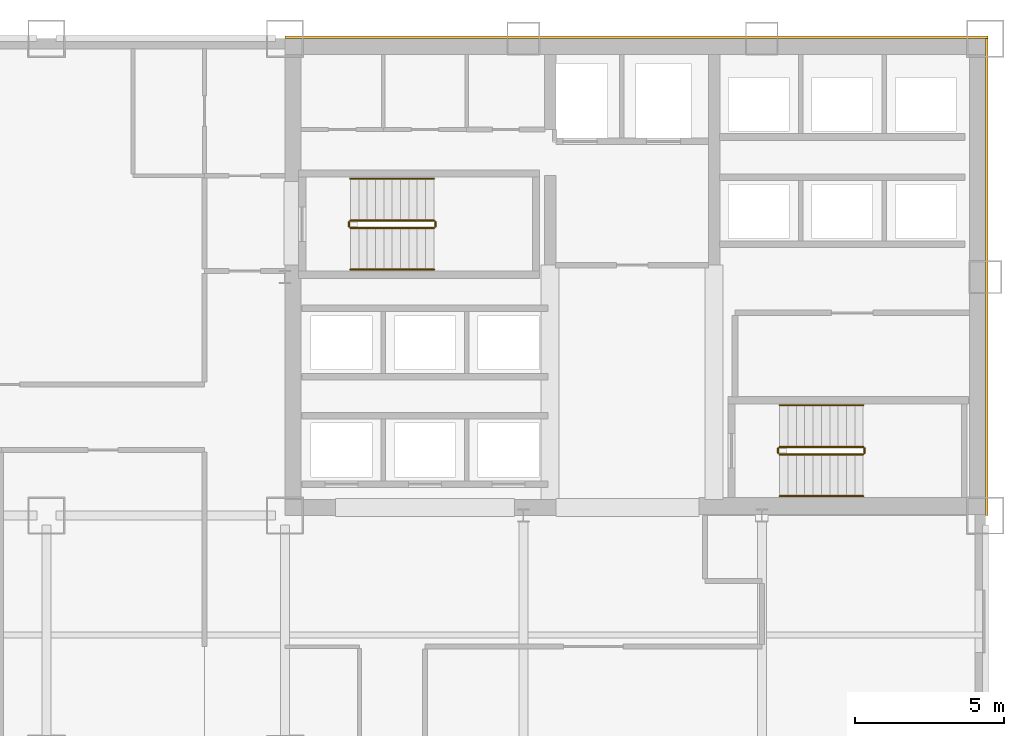
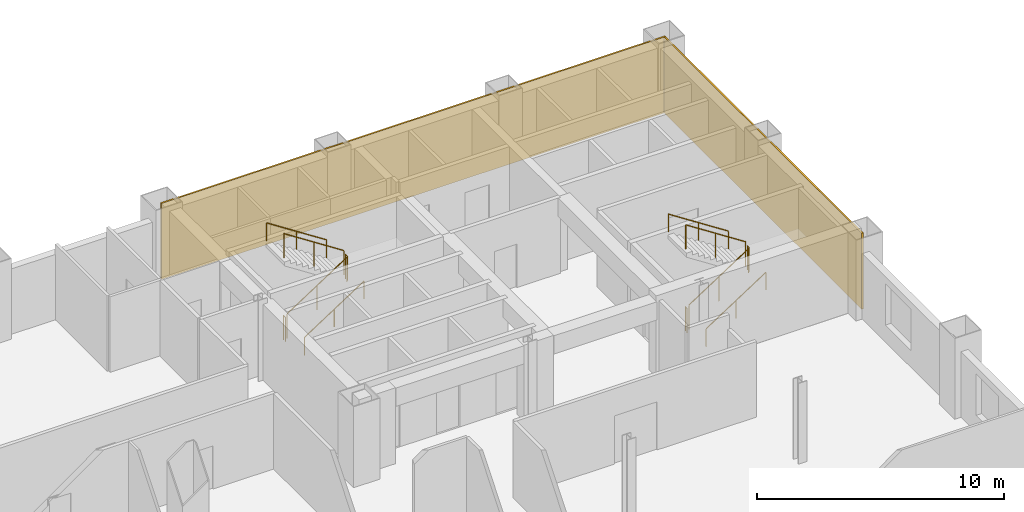
# One storey, part 9 of 9: 12 railings, 2 coverings.
"""IFC4 building model written with IfcOpenShell, lengths in metres."""

from ifc_helpers import new_model, si_unit, direction, frame, origin, origin_2d, place, context, subcontext, project, spatial, rectangle, circle, extrude, material, layer, layer_set, type_object, element, save


model = new_model("IFC4")

# Units and contexts
model_context = context("Model", 3, precision=1e-05, world=origin(), true_north=direction((0.0, 1.0)))
body_context = subcontext(model_context, "Body", "Model", "MODEL_VIEW")
ifc_project = project(units=[si_unit("LENGTHUNIT", "METRE"), si_unit("AREAUNIT", "SQUARE_METRE"), si_unit("VOLUMEUNIT", "CUBIC_METRE"), si_unit("PLANEANGLEUNIT", "RADIAN"), si_unit("MASSUNIT", "GRAM", prefix="KILO")], contexts=[model_context])

# Site, building, storey
site_placement = place(None, origin())
site = spatial("IfcSite", under=ifc_project, at=site_placement, CompositionType="ELEMENT")
building_placement = place(site_placement, origin())
building = spatial("IfcBuilding", under=site, at=building_placement, Name="Qianrong Seaharbour Tower", CompositionType="ELEMENT")
storey_placement = place(building_placement, frame((0.0, 0.0, 56.199951171875)))
storey = spatial("IfcBuildingStorey", under=building, at=storey_placement, Name="L13", CompositionType="ELEMENT", Elevation=56.199951171875)

# Coverings
ifc_material_1 = material(Name="Unitised red brick cladding on Precast concrete C45/55", Category="masonry")
ifc_layer = layer(ifc_material_1, 0.080078125)
ifc_layer_set = layer_set([ifc_layer], Name="Unitised red brick cladding on Precast concrete C45/55")
covering_type = type_object("IfcCoveringType", Name="COV-CLAD-RED-BRICK-80", PredefinedType="CLADDING", material=ifc_layer_set)
covering_1_placement = place(storey_placement, frame((52.2900390625, 52.0400390625, 0.0), z_axis=(0.0, 0.0, 1.0), x_axis=(1.0, 0.0, 0.0)))
element("IfcCovering", 1, at=covering_1_placement, inside=storey, type_object=covering_type, Name="L13 North Core Brick Veneer Cladding", PredefinedType="CLADDING", context=body_context, shape_type="SweptSolid", body=[
    extrude(rectangle(XDim=23.580078125, YDim=0.080078125, at=origin_2d()), origin(), (0.0, 0.0, 1.0), 3.75),
])
covering_2_placement = place(storey_placement, frame((64.0400390625, 44.0, 0.0), z_axis=(0.0, 0.0, 1.0), x_axis=(1.0, 0.0, 0.0)))
element("IfcCovering", 2, at=covering_2_placement, inside=storey, type_object=covering_type, Name="L13 East Core Brick Veneer Cladding", PredefinedType="CLADDING", context=body_context, shape_type="SweptSolid", body=[
    extrude(rectangle(XDim=0.080078125, YDim=16.0, at=origin_2d()), origin(), (0.0, 0.0, 1.0), 3.75),
])

# Railings
ifc_material_2 = material(Name="Galvanized painted steel SN400B stair guard", Category="steel")
railing_type_1 = type_object("IfcRailingType", Name="RAIL-STAIR-GUARD-1220", PredefinedType="GUARDRAIL", material=ifc_material_2)
railing_1_placement = place(storey_placement, frame((42.699951171875, 45.64990234375, 0.181884765625)))
element("IfcRailing", 3, at=railing_1_placement, inside=storey, type_object=railing_type_1, Name="L13 ST-1 stair guard 1", PredefinedType="GUARDRAIL", context=body_context, shape_type="SweptSolid", body=[
    extrude(circle(Radius=0.02392578125, at=origin_2d()), frame((0.0, 0.0, 1.19580078125), z_axis=(0.838705829183, 0.0, 0.544584733623), x_axis=(0.0, 1.0, 0.0)), (0.0, 0.0, 1.0), 3.338623046875),
    extrude(circle(Radius=0.02099609375, at=origin_2d()), origin(), (0.0, 0.0, 1.0), 1.171875),
    extrude(circle(Radius=0.02099609375, at=origin_2d()), frame((1.39990234375, 0.0, 0.9091796875)), (0.0, 0.0, 1.0), 1.171875),
    extrude(circle(Radius=0.02099609375, at=origin_2d()), frame((2.800048828125, 0.0, 1.818115234375)), (0.0, 0.0, 1.0), 1.171875),
])
railing_2_placement = place(storey_placement, frame((45.550048828125, 45.699951171875, 2.0)))
element("IfcRailing", 4, at=railing_2_placement, inside=storey, type_object=railing_type_1, Name="L13 ST-1 stair guard 2", PredefinedType="GUARDRAIL", context=body_context, shape_type="SweptSolid", body=[
    extrude(circle(Radius=0.02392578125, at=origin_2d()), frame((0.0, 0.0, 1.19580078125), z_axis=(0.0, 1.0, 0.0), x_axis=(-1.0, 0.0, 0.0)), (0.0, 0.0, 1.0), 0.150146484375),
    extrude(circle(Radius=0.02099609375, at=origin_2d()), origin(), (0.0, 0.0, 1.0), 1.171875),
    extrude(circle(Radius=0.02099609375, at=origin_2d()), frame((0.0, 0.150146484375, 0.0)), (0.0, 0.0, 1.0), 1.171875),
])
railing_3_placement = place(storey_placement, frame((45.5, 45.89990234375, 2.181884765625)))
element("IfcRailing", 5, at=railing_3_placement, inside=storey, type_object=railing_type_1, Name="L13 ST-1 stair guard 3", PredefinedType="GUARDRAIL", context=body_context, shape_type="SweptSolid", body=[
    extrude(circle(Radius=0.02392578125, at=origin_2d()), frame((0.0, 0.0, 1.19580078125), z_axis=(-0.838705829183, 0.0, 0.544584733623), x_axis=(0.0, -1.0, 0.0)), (0.0, 0.0, 1.0), 3.338623046875),
    extrude(circle(Radius=0.02099609375, at=origin_2d()), origin(), (0.0, 0.0, 1.0), 1.171875),
    extrude(circle(Radius=0.02099609375, at=origin_2d()), frame((-1.39990234375, 0.0, 0.9091796875)), (0.0, 0.0, 1.0), 1.171875),
    extrude(circle(Radius=0.02099609375, at=origin_2d()), frame((-2.800048828125, 0.0, 1.818115234375)), (0.0, 0.0, 1.0), 1.171875),
])
railing_4_placement = place(storey_placement, frame((42.64990234375, 45.699951171875, 0.0)))
element("IfcRailing", 6, at=railing_4_placement, inside=storey, type_object=railing_type_1, Name="L13 ST-1 stair guard 4", PredefinedType="GUARDRAIL", context=body_context, shape_type="SweptSolid", body=[
    extrude(circle(Radius=0.02392578125, at=origin_2d()), frame((0.0, 0.0, 1.19580078125), z_axis=(0.0, 1.0, 0.0), x_axis=(-1.0, 0.0, 0.0)), (0.0, 0.0, 1.0), 0.150146484375),
    extrude(circle(Radius=0.02099609375, at=origin_2d()), origin(), (0.0, 0.0, 1.0), 1.171875),
    extrude(circle(Radius=0.02099609375, at=origin_2d()), frame((0.0, 0.150146484375, 0.0)), (0.0, 0.0, 1.0), 1.171875),
])
railing_5_placement = place(storey_placement, frame((57.10009765625, 38.050048828125, 0.181884765625)))
element("IfcRailing", 7, at=railing_5_placement, inside=storey, type_object=railing_type_1, Name="L13 ST-2 stair guard 1", PredefinedType="GUARDRAIL", context=body_context, shape_type="SweptSolid", body=[
    extrude(circle(Radius=0.02392578125, at=origin_2d()), frame((0.0, 0.0, 1.19580078125), z_axis=(0.83868413941, 0.0, 0.544618136222), x_axis=(0.0, 1.0, 0.0)), (0.0, 0.0, 1.0), 3.33837890625),
    extrude(circle(Radius=0.02099609375, at=origin_2d()), origin(), (0.0, 0.0, 1.0), 1.171875),
    extrude(circle(Radius=0.02099609375, at=origin_2d()), frame((1.39990234375, 0.0, 0.9091796875)), (0.0, 0.0, 1.0), 1.171875),
    extrude(circle(Radius=0.02099609375, at=origin_2d()), frame((2.7998046875, 0.0, 1.818115234375)), (0.0, 0.0, 1.0), 1.171875),
])
railing_6_placement = place(storey_placement, frame((59.949951171875, 38.10009765625, 2.0)))
element("IfcRailing", 8, at=railing_6_placement, inside=storey, type_object=railing_type_1, Name="L13 ST-2 stair guard 2", PredefinedType="GUARDRAIL", context=body_context, shape_type="SweptSolid", body=[
    extrude(circle(Radius=0.02392578125, at=origin_2d()), frame((0.0, 0.0, 1.19580078125), z_axis=(0.0, 1.0, 0.0), x_axis=(-1.0, 0.0, 0.0)), (0.0, 0.0, 1.0), 0.14990234375),
    extrude(circle(Radius=0.02099609375, at=origin_2d()), origin(), (0.0, 0.0, 1.0), 1.171875),
    extrude(circle(Radius=0.02099609375, at=origin_2d()), frame((0.0, 0.14990234375, 0.0)), (0.0, 0.0, 1.0), 1.171875),
])
railing_7_placement = place(storey_placement, frame((59.89990234375, 38.300048828125, 2.181884765625)))
element("IfcRailing", 9, at=railing_7_placement, inside=storey, type_object=railing_type_1, Name="L13 ST-2 stair guard 3", PredefinedType="GUARDRAIL", context=body_context, shape_type="SweptSolid", body=[
    extrude(circle(Radius=0.02392578125, at=origin_2d()), frame((0.0, 0.0, 1.19580078125), z_axis=(-0.83868413941, 0.0, 0.544618136222), x_axis=(0.0, -1.0, 0.0)), (0.0, 0.0, 1.0), 3.33837890625),
    extrude(circle(Radius=0.02099609375, at=origin_2d()), origin(), (0.0, 0.0, 1.0), 1.171875),
    extrude(circle(Radius=0.02099609375, at=origin_2d()), frame((-1.39990234375, 0.0, 0.9091796875)), (0.0, 0.0, 1.0), 1.171875),
    extrude(circle(Radius=0.02099609375, at=origin_2d()), frame((-2.7998046875, 0.0, 1.818115234375)), (0.0, 0.0, 1.0), 1.171875),
])
railing_8_placement = place(storey_placement, frame((57.050048828125, 38.10009765625, 0.0)))
element("IfcRailing", 10, at=railing_8_placement, inside=storey, type_object=railing_type_1, Name="L13 ST-2 stair guard 4", PredefinedType="GUARDRAIL", context=body_context, shape_type="SweptSolid", body=[
    extrude(circle(Radius=0.02392578125, at=origin_2d()), frame((0.0, 0.0, 1.19580078125), z_axis=(0.0, 1.0, 0.0), x_axis=(-1.0, 0.0, 0.0)), (0.0, 0.0, 1.0), 0.14990234375),
    extrude(circle(Radius=0.02099609375, at=origin_2d()), origin(), (0.0, 0.0, 1.0), 1.171875),
    extrude(circle(Radius=0.02099609375, at=origin_2d()), frame((0.0, 0.14990234375, 0.0)), (0.0, 0.0, 1.0), 1.171875),
])
ifc_material_3 = material(Name="Stainless steel SUS316L continuous handrail", Category="steel")
railing_type_2 = type_object("IfcRailingType", Name="RAIL-STAIR-HANDRAIL-900", PredefinedType="HANDRAIL", material=ifc_material_3)
railing_9_placement = place(storey_placement, frame((42.699951171875, 44.25, 0.181884765625)))
element("IfcRailing", 11, at=railing_9_placement, inside=storey, type_object=railing_type_2, Name="L13 ST-1 stair handrail 1", PredefinedType="HANDRAIL", context=body_context, shape_type="SweptSolid", body=[
    extrude(circle(Radius=0.02392578125, at=origin_2d()), frame((0.0, 0.0, 0.8759765625), z_axis=(0.838705829183, 0.0, 0.544584733623), x_axis=(0.0, 1.0, 0.0)), (0.0, 0.0, 1.0), 3.338623046875),
    extrude(circle(Radius=0.02099609375, at=origin_2d()), origin(), (0.0, 0.0, 1.0), 0.851806640625),
    extrude(circle(Radius=0.02099609375, at=origin_2d()), frame((1.39990234375, 0.0, 0.9091796875)), (0.0, 0.0, 1.0), 0.851806640625),
    extrude(circle(Radius=0.02099609375, at=origin_2d()), frame((2.800048828125, 0.0, 1.818115234375)), (0.0, 0.0, 1.0), 0.851806640625),
])
railing_10_placement = place(storey_placement, frame((45.5, 47.300048828125, 2.181884765625)))
element("IfcRailing", 12, at=railing_10_placement, inside=storey, type_object=railing_type_2, Name="L13 ST-1 stair handrail 2", PredefinedType="HANDRAIL", context=body_context, shape_type="SweptSolid", body=[
    extrude(circle(Radius=0.02392578125, at=origin_2d()), frame((0.0, 0.0, 0.8759765625), z_axis=(-0.838705829183, 0.0, 0.544584733623), x_axis=(0.0, -1.0, 0.0)), (0.0, 0.0, 1.0), 3.338623046875),
    extrude(circle(Radius=0.02099609375, at=origin_2d()), origin(), (0.0, 0.0, 1.0), 0.851806640625),
    extrude(circle(Radius=0.02099609375, at=origin_2d()), frame((-1.39990234375, 0.0, 0.9091796875)), (0.0, 0.0, 1.0), 0.851806640625),
    extrude(circle(Radius=0.02099609375, at=origin_2d()), frame((-2.800048828125, 0.0, 1.818115234375)), (0.0, 0.0, 1.0), 0.851806640625),
])
railing_11_placement = place(storey_placement, frame((57.10009765625, 36.64990234375, 0.181884765625)))
element("IfcRailing", 13, at=railing_11_placement, inside=storey, type_object=railing_type_2, Name="L13 ST-2 stair handrail 1", PredefinedType="HANDRAIL", context=body_context, shape_type="SweptSolid", body=[
    extrude(circle(Radius=0.02392578125, at=origin_2d()), frame((0.0, 0.0, 0.8759765625), z_axis=(0.83868413941, 0.0, 0.544618136222), x_axis=(0.0, 1.0, 0.0)), (0.0, 0.0, 1.0), 3.33837890625),
    extrude(circle(Radius=0.02099609375, at=origin_2d()), origin(), (0.0, 0.0, 1.0), 0.851806640625),
    extrude(circle(Radius=0.02099609375, at=origin_2d()), frame((1.39990234375, 0.0, 0.9091796875)), (0.0, 0.0, 1.0), 0.851806640625),
    extrude(circle(Radius=0.02099609375, at=origin_2d()), frame((2.7998046875, 0.0, 1.818115234375)), (0.0, 0.0, 1.0), 0.851806640625),
])
railing_12_placement = place(storey_placement, frame((59.89990234375, 39.699951171875, 2.181884765625)))
element("IfcRailing", 14, at=railing_12_placement, inside=storey, type_object=railing_type_2, Name="L13 ST-2 stair handrail 2", PredefinedType="HANDRAIL", context=body_context, shape_type="SweptSolid", body=[
    extrude(circle(Radius=0.02392578125, at=origin_2d()), frame((0.0, 0.0, 0.8759765625), z_axis=(-0.83868413941, 0.0, 0.544618136222), x_axis=(0.0, -1.0, 0.0)), (0.0, 0.0, 1.0), 3.33837890625),
    extrude(circle(Radius=0.02099609375, at=origin_2d()), origin(), (0.0, 0.0, 1.0), 0.851806640625),
    extrude(circle(Radius=0.02099609375, at=origin_2d()), frame((-1.39990234375, 0.0, 0.9091796875)), (0.0, 0.0, 1.0), 0.851806640625),
    extrude(circle(Radius=0.02099609375, at=origin_2d()), frame((-2.7998046875, 0.0, 1.818115234375)), (0.0, 0.0, 1.0), 0.851806640625),
])

save(model, "model.ifc")
